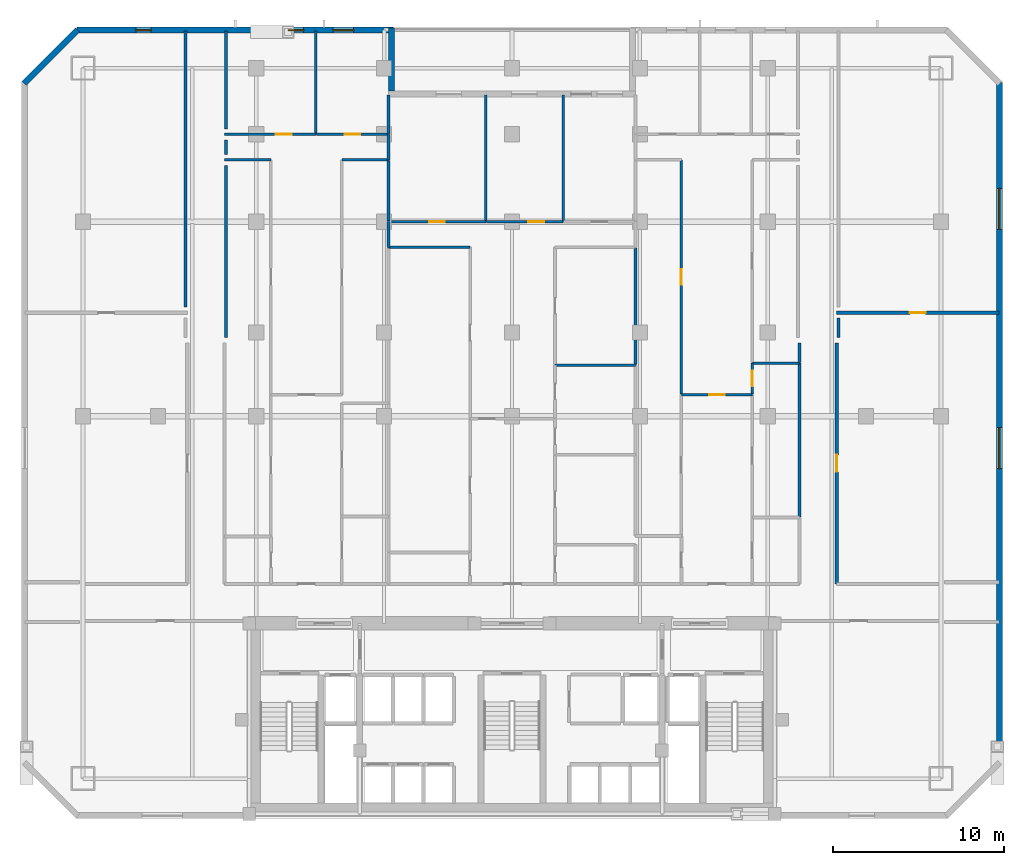
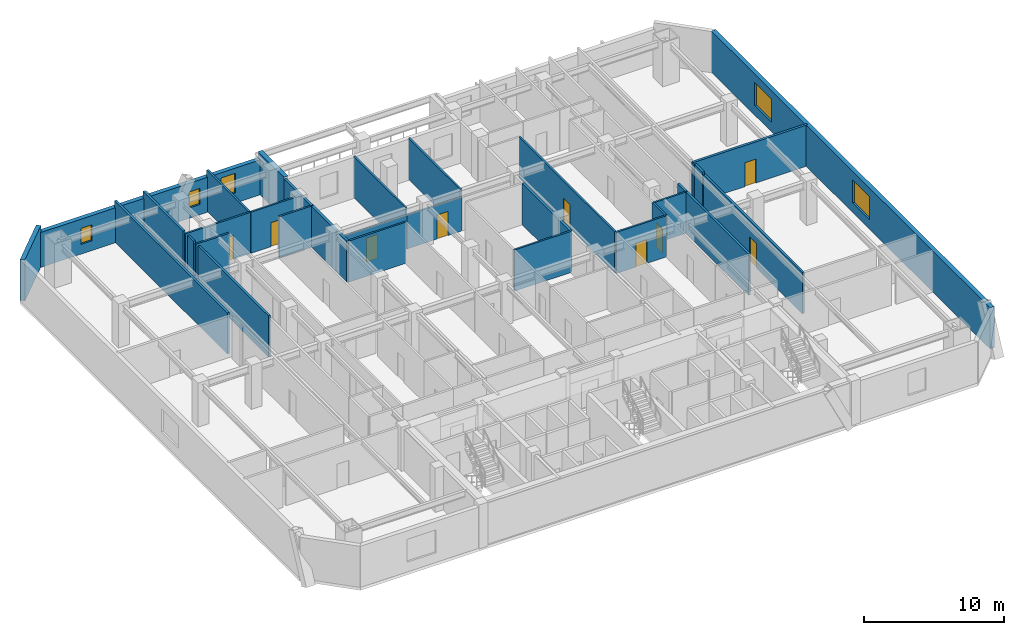
# One storey, part 6 of 10: 33 walls, 9 doors, 5 windows, 14 openings.
"""IFC4 building model written with IfcOpenShell, lengths in metres."""

from ifc_helpers import new_model, si_unit, direction, frame, frame_2d, origin, place, context, subcontext, project, spatial, rectangle, extrude, material, layer, layer_set, type_object, element, fill, save


model = new_model("IFC4")

# Units and contexts
model_context = context("Model", 3, precision=1e-05, world=origin(), true_north=direction((0.0, 1.0)))
body_context = subcontext(model_context, "Body", "Model", "MODEL_VIEW")
ifc_project = project(units=[si_unit("LENGTHUNIT", "METRE"), si_unit("AREAUNIT", "SQUARE_METRE"), si_unit("VOLUMEUNIT", "CUBIC_METRE"), si_unit("PLANEANGLEUNIT", "RADIAN"), si_unit("MASSUNIT", "GRAM", prefix="KILO")], contexts=[model_context])

# Site, building, storey
site_placement = place(None, origin())
site = spatial("IfcSite", under=ifc_project, at=site_placement, CompositionType="ELEMENT")
building_placement = place(site_placement, origin())
building = spatial("IfcBuilding", under=site, at=building_placement, Name="Ventersveld Concourse Tower", CompositionType="ELEMENT")
storey_placement = place(building_placement, frame((0.0, 0.0, 60.60009765625)))
storey = spatial("IfcBuildingStorey", under=building, at=storey_placement, Name="L14", CompositionType="ELEMENT", Elevation=60.60009765625)

# Wall, opening, door
ifc_material_1 = material(Name="Fire-rated autoclaved aerated masonry blockwork", Category="masonry")
ifc_layer_1 = layer(ifc_material_1, 0.179931640625)
ifc_layer_set_1 = layer_set([ifc_layer_1], Name="Fire-rated autoclaved aerated masonry blockwork")
wall_type_1 = type_object("IfcWallType", Name="WL-CORR-180", PredefinedType="PARTITIONING", material=ifc_layer_set_1)
wall_1_placement = place(storey_placement, frame((47.7900390625, 13.764892578125, 0.0), z_axis=(0.0, 0.0, 1.0), x_axis=(0.0, 1.0, 0.0)))
wall_1 = element("IfcWall", 1, at=wall_1_placement, inside=storey, type_object=wall_type_1, Name="L14 Interior Partition SP-L14-COR-SP-L14-NELNG1", PredefinedType="PARTITIONING", context=body_context, shape_type="SweptSolid", body=[
    extrude(rectangle(XDim=14.130126953125, YDim=0.179931640625, at=frame_2d((7.06494140625, 0.0))), origin(), (0.0, 0.0, 1.0), 3.599853515625),
])
opening_1_placement = place(wall_1_placement, frame((6.56494140625, 0.0, 0.0)))
opening_1 = element("IfcOpeningElement", 2, at=opening_1_placement, cuts=wall_1, Name="Opening FD3", PredefinedType="OPENING", context=body_context, shape_type="SweptSolid", body=[
    extrude(rectangle(XDim=1.0, YDim=2.14990234375, at=frame_2d((0.5, 1.074951171875))), frame((0.0, 0.10009765625, 0.0), z_axis=(0.0, -1.0, 0.0), x_axis=(1.0, 0.0, 0.0)), (0.0, 0.0, 1.0), 0.199951171875),
])
ifc_material_2 = material(Name="Solid-core hardwood veneer timber", Category="wood")
door_type_1 = type_object("IfcDoorType", Name="DR-FLAT-100", OperationType="NOTDEFINED", PredefinedType="DOOR", material=ifc_material_2)
door_1_placement = place(opening_1_placement, origin())
door_1 = element("IfcDoor", 3, at=door_1_placement, inside=storey, type_object=door_type_1, Name="L14 Interior Door SP-L14-COR to SP-L14-NELNG1 (D-L14-0608)", OperationType="SINGLE_SWING_RIGHT", OverallHeight=2.14990234375, OverallWidth=1.0, PredefinedType="DOOR", context=body_context, shape_type="SweptSolid", body=[
    extrude(rectangle(XDim=1.0, YDim=2.14990234375, at=frame_2d((0.5, 1.074951171875))), frame((0.0, 0.02490234375, 0.0), z_axis=(0.0, -1.0, 0.0), x_axis=(1.0, 0.0, 0.0)), (0.0, 0.0, 1.0), 0.050048828125),
])
fill(opening_1, door_1)

# Walls
wall_2_placement = place(storey_placement, frame((45.610107421875, 17.6943359375, 0.0), z_axis=(0.0, 0.0, 1.0), x_axis=(0.0, 1.0, 0.0)))
element("IfcWall", 4, at=wall_2_placement, inside=storey, type_object=wall_type_1, Name="L14 Interior Partition SP-L14-COR-SP-L14-14CE-DENR", PredefinedType="PARTITIONING", context=body_context, shape_type="SweptSolid", body=[
    extrude(rectangle(XDim=9.024169921875, YDim=0.179931640625, at=frame_2d((4.51220703125, 0.0))), origin(), (0.0, 0.0, 1.0), 3.599853515625),
])
wall_3_placement = place(storey_placement, frame((45.610107421875, 26.74853515625, 0.0), z_axis=(0.0, 0.0, 1.0), x_axis=(0.0, 1.0, 0.0)))
element("IfcWall", 5, at=wall_3_placement, inside=storey, type_object=wall_type_1, Name="L14 Interior Partition SP-L14-COR-SP-L14-14CE-DENS", PredefinedType="PARTITIONING", context=body_context, shape_type="SweptSolid", body=[
    extrude(rectangle(XDim=1.146484375, YDim=0.179931640625, at=frame_2d((0.5732421875, 0.0))), origin(), (0.0, 0.0, 1.0), 3.599853515625),
])
wall_4_placement = place(storey_placement, frame((9.6201171875, 46.18994140625, 0.0), z_axis=(0.0, 0.0, 1.0), x_axis=(0.0, -1.0, 0.0)))
element("IfcWall", 6, at=wall_4_placement, inside=storey, type_object=wall_type_1, Name="L14 Room Enclosure Wall SP-L14-NWLNG2", PredefinedType="PARTITIONING", context=body_context, shape_type="SweptSolid", body=[
    extrude(rectangle(XDim=16.19482421875, YDim=0.179931640625, at=frame_2d((8.097412109375, 0.0))), origin(), (0.0, 0.0, 1.0), 3.599853515625),
])
wall_5_placement = place(storey_placement, frame((47.8798828125, 28.2099609375, 0.0), z_axis=(0.0, 0.0, 1.0), x_axis=(0.0, 1.0, 0.0)))
element("IfcWall", 7, at=wall_5_placement, inside=storey, type_object=wall_type_1, Name="L14 Room Enclosure Wall SP-L14-NELNG1", PredefinedType="PARTITIONING", context=body_context, shape_type="SweptSolid", body=[
    extrude(rectangle(XDim=1.135009765625, YDim=0.179931640625, at=frame_2d((0.5673828125, 0.0))), origin(), (0.0, 0.0, 1.0), 3.599853515625),
])
wall_6_placement = place(storey_placement, frame((11.97998046875, 38.945068359375, 0.0), z_axis=(0.0, 0.0, 1.0), x_axis=(0.0, 1.0, 0.0)))
element("IfcWall", 8, at=wall_6_placement, inside=storey, type_object=wall_type_1, Name="L14 Room Enclosure Wall SP-L14-14CW-LIV", PredefinedType="PARTITIONING", context=body_context, shape_type="SweptSolid", body=[
    extrude(rectangle(XDim=0.849853515625, YDim=0.179931640625, at=frame_2d((0.4248046875, 0.0))), origin(), (0.0, 0.0, 1.0), 3.599853515625),
])
wall_7_placement = place(storey_placement, frame((11.97998046875, 28.2099609375, 0.0), z_axis=(0.0, 0.0, 1.0), x_axis=(0.0, 1.0, 0.0)))
element("IfcWall", 9, at=wall_7_placement, inside=storey, type_object=wall_type_1, Name="L14 Room Enclosure Wall SP-L14-14CW-OFFL0", PredefinedType="PARTITIONING", context=body_context, shape_type="SweptSolid", body=[
    extrude(rectangle(XDim=10.0849609375, YDim=0.179931640625, at=frame_2d((5.04248046875, 0.0))), origin(), (0.0, 0.0, 1.0), 3.599853515625),
])
wall_8_placement = place(storey_placement, frame((11.97998046875, 40.445068359375, 0.0), z_axis=(0.0, 0.0, 1.0), x_axis=(0.0, 1.0, 0.0)))
element("IfcWall", 10, at=wall_8_placement, inside=storey, type_object=wall_type_1, Name="L14 Room Enclosure Wall SP-L14-14CW-BR1", PredefinedType="PARTITIONING", context=body_context, shape_type="SweptSolid", body=[
    extrude(rectangle(XDim=5.744873046875, YDim=0.179931640625, at=frame_2d((2.87255859375, 0.0))), origin(), (0.0, 0.0, 1.0), 3.599853515625),
])

# Wall, opening, door
ifc_layer_2 = layer(ifc_material_1, 0.199951171875)
ifc_layer_set_2 = layer_set([ifc_layer_2], Name="Fire-rated autoclaved aerated masonry blockwork")
wall_type_2 = type_object("IfcWallType", Name="WL-DEMISE-200", PredefinedType="PARTITIONING", material=ifc_layer_set_2)
wall_9_placement = place(storey_placement, frame((47.784912109375, 29.669921875, 0.0), z_axis=(0.0, 0.0, 1.0), x_axis=(1.0, 0.0, 0.0)))
wall_9 = element("IfcWall", 11, at=wall_9_placement, inside=storey, type_object=wall_type_2, Name="L14 Interior Partition SP-L14-NELNG1-SP-L14-NELNG2", PredefinedType="PARTITIONING", context=body_context, shape_type="SweptSolid", body=[
    extrude(rectangle(XDim=9.505126953125, YDim=0.199951171875, at=frame_2d((4.75244140625, 0.0))), origin(), (0.0, 0.0, 1.0), 3.599853515625),
])
opening_2_placement = place(wall_9_placement, frame((4.29248046875, 0.0, 0.0)))
opening_2 = element("IfcOpeningElement", 12, at=opening_2_placement, cuts=wall_9, Name="Opening ID1", PredefinedType="OPENING", context=body_context, shape_type="SweptSolid", body=[
    extrude(rectangle(XDim=0.919921875, YDim=2.10009765625, at=frame_2d((0.4599609375, 1.050048828125))), frame((0.0, 0.10986328125, 0.0), z_axis=(0.0, -1.0, 0.0), x_axis=(1.0, 0.0, 0.0)), (0.0, 0.0, 1.0), 0.219970703125),
])
door_type_2 = type_object("IfcDoorType", Name="DR-ROOM-092", OperationType="NOTDEFINED", PredefinedType="DOOR", material=ifc_material_2)
door_2_placement = place(opening_2_placement, origin())
door_2 = element("IfcDoor", 13, at=door_2_placement, inside=storey, type_object=door_type_2, Name="L14 Interior Door SP-L14-NELNG1 to SP-L14-NELNG2 (D-L14-0613)", OperationType="SINGLE_SWING_LEFT", OverallHeight=2.10009765625, OverallWidth=0.919921875, PredefinedType="DOOR", context=body_context, shape_type="SweptSolid", body=[
    extrude(rectangle(XDim=0.919921875, YDim=2.10009765625, at=frame_2d((0.4599609375, 1.050048828125))), frame((0.0, 0.02490234375, 0.0), z_axis=(0.0, -1.0, 0.0), x_axis=(1.0, 0.0, 0.0)), (0.0, 0.0, 1.0), 0.050048828125),
])
fill(opening_2, door_2)

# Walls
wall_10_placement = place(storey_placement, frame((21.510009765625, 38.614990234375, 0.0), z_axis=(0.0, 0.0, 1.0), x_axis=(0.0, 1.0, 0.0)))
element("IfcWall", 14, at=wall_10_placement, inside=storey, type_object=wall_type_2, Name="L14 Interior Partition SP-L14-14CW-LIV-SP-L14-14CM-BR1", PredefinedType="PARTITIONING", context=body_context, shape_type="SweptSolid", body=[
    extrude(rectangle(XDim=1.510009765625, YDim=0.199951171875, at=frame_2d((0.7548828125, 0.0))), origin(), (0.0, 0.0, 1.0), 3.599853515625),
])
wall_11_placement = place(storey_placement, frame((21.510009765625, 33.4951171875, 0.0), z_axis=(0.0, 0.0, 1.0), x_axis=(0.0, 1.0, 0.0)))
element("IfcWall", 15, at=wall_11_placement, inside=storey, type_object=wall_type_2, Name="L14 Interior Partition SP-L14-14CW-DENS-SP-L14-14CM-LIV", PredefinedType="PARTITIONING", context=body_context, shape_type="SweptSolid", body=[
    extrude(rectangle(XDim=1.509765625, YDim=0.199951171875, at=frame_2d((0.7548828125, 0.0))), origin(), (0.0, 0.0, 1.0), 3.599853515625),
])
wall_12_placement = place(storey_placement, frame((21.510009765625, 35.034912109375, 0.0), z_axis=(0.0, 0.0, 1.0), x_axis=(0.0, 1.0, 0.0)))
element("IfcWall", 16, at=wall_12_placement, inside=storey, type_object=wall_type_2, Name="L14 Interior Partition SP-L14-14CW-DENS-SP-L14-14CM-BR1", PredefinedType="PARTITIONING", context=body_context, shape_type="SweptSolid", body=[
    extrude(rectangle(XDim=3.550048828125, YDim=0.199951171875, at=frame_2d((1.77490234375, 0.0))), origin(), (0.0, 0.0, 1.0), 3.599853515625),
])
wall_13_placement = place(storey_placement, frame((21.510009765625, 40.155029296875, 0.0), z_axis=(0.0, 0.0, 1.0), x_axis=(0.0, 1.0, 0.0)))
element("IfcWall", 17, at=wall_13_placement, inside=storey, type_object=wall_type_2, Name="L14 Interior Partition SP-L14-14CW-BR2-SP-L14-14CM-BR1", PredefinedType="PARTITIONING", context=body_context, shape_type="SweptSolid", body=[
    extrude(rectangle(XDim=2.284912109375, YDim=0.199951171875, at=frame_2d((1.142578125, 0.0))), origin(), (0.0, 0.0, 1.0), 3.599853515625),
])
wall_14_placement = place(storey_placement, frame((35.989990234375, 26.626708984375, 0.0), z_axis=(0.0, 0.0, 1.0), x_axis=(0.0, 1.0, 0.0)))
element("IfcWall", 18, at=wall_14_placement, inside=storey, type_object=wall_type_2, Name="L14 Interior Partition SP-L14-14CE-OFFL0-SP-L14-14CM-DENS2", PredefinedType="PARTITIONING", context=body_context, shape_type="SweptSolid", body=[
    extrude(rectangle(XDim=6.83837890625, YDim=0.199951171875, at=frame_2d((3.419189453125, 0.0))), origin(), (0.0, 0.0, 1.0), 3.599853515625),
])
ifc_material_3 = material(Name="Autoclaved aerated masonry blockwork", Category="masonry")
ifc_layer_3 = layer(ifc_material_3, 0.14990234375)
ifc_layer_set_3 = layer_set([ifc_layer_3], Name="Autoclaved aerated masonry blockwork")
wall_type_3 = type_object("IfcWallType", Name="WL-INT-150", PredefinedType="PARTITIONING", material=ifc_layer_set_3)
for number, where, z_axis, x_axis, name in (
    (19, (11.885009765625, 38.6201171875, 0.0), (0.0, 0.0, 1.0), (1.0, 0.0, 0.0), "L14 Interior Partition SP-L14-14CW-LIV-SP-L14-14CW-OFFL0"),
    (20, (18.776123046875, 38.6201171875, 0.0), (0.0, 0.0, 1.0), (1.0, 0.0, 0.0), "L14 Interior Partition SP-L14-14CW-LIV-SP-L14-14CW-DENS"),
):
    element("IfcWall", number, at=place(storey_placement, frame(where, z_axis=z_axis, x_axis=x_axis)), inside=storey, type_object=wall_type_3, Name=name, PredefinedType="PARTITIONING", context=body_context, shape_type="SweptSolid", body=[
        extrude(rectangle(XDim=2.73876953125, YDim=0.14990234375, at=frame_2d((1.369384765625, 0.0))), origin(), (0.0, 0.0, 1.0), 3.599853515625),
    ])

# Wall, opening, door
wall_15_placement = place(storey_placement, frame((11.885009765625, 40.1201171875, 0.0), z_axis=(0.0, 0.0, 1.0), x_axis=(1.0, 0.0, 0.0)))
wall_15 = element("IfcWall", 21, at=wall_15_placement, inside=storey, type_object=wall_type_3, Name="L14 Interior Partition SP-L14-14CW-LIV-SP-L14-14CW-BR1", PredefinedType="PARTITIONING", context=body_context, shape_type="SweptSolid", body=[
    extrude(rectangle(XDim=5.36474609375, YDim=0.14990234375, at=frame_2d((2.682373046875, 0.0))), origin(), (0.0, 0.0, 1.0), 3.599853515625),
])
opening_3_placement = place(wall_15_placement, frame((3.027099609375, 0.0, 0.0)))
opening_3 = element("IfcOpeningElement", 22, at=opening_3_placement, cuts=wall_15, Name="Opening ID1", PredefinedType="OPENING", context=body_context, shape_type="SweptSolid", body=[
    extrude(rectangle(XDim=0.919921875, YDim=2.10009765625, at=frame_2d((0.4599609375, 1.050048828125))), frame((0.0, 0.0849609375, 0.0), z_axis=(0.0, -1.0, 0.0), x_axis=(1.0, 0.0, 0.0)), (0.0, 0.0, 1.0), 0.169921875),
])
door_3_placement = place(opening_3_placement, origin())
door_3 = element("IfcDoor", 23, at=door_3_placement, inside=storey, type_object=door_type_2, Name="L14 Interior Door SP-L14-14CW-LIV to SP-L14-14CW-BR1 (D-L14-0621)", OperationType="SINGLE_SWING_LEFT", OverallHeight=2.10009765625, OverallWidth=0.919921875, PredefinedType="DOOR", context=body_context, shape_type="SweptSolid", body=[
    extrude(rectangle(XDim=0.919921875, YDim=2.10009765625, at=frame_2d((0.4599609375, 1.050048828125))), frame((0.0, 0.02490234375, 0.0), z_axis=(0.0, -1.0, 0.0), x_axis=(1.0, 0.0, 0.0)), (0.0, 0.0, 1.0), 0.050048828125),
])
fill(opening_3, door_3)

wall_16_placement = place(storey_placement, frame((17.27978515625, 40.1201171875, 0.0), z_axis=(0.0, 0.0, 1.0), x_axis=(1.0, 0.0, 0.0)))
wall_16 = element("IfcWall", 24, at=wall_16_placement, inside=storey, type_object=wall_type_3, Name="L14 Interior Partition SP-L14-14CW-LIV-SP-L14-14CW-BR2", PredefinedType="PARTITIONING", context=body_context, shape_type="SweptSolid", body=[
    extrude(rectangle(XDim=4.235107421875, YDim=0.14990234375, at=frame_2d((2.11767578125, 0.0))), origin(), (0.0, 0.0, 1.0), 3.599853515625),
])
opening_4_placement = place(wall_16_placement, frame((1.65771484375, 0.0, 0.0)))
opening_4 = element("IfcOpeningElement", 25, at=opening_4_placement, cuts=wall_16, Name="Opening ID1", PredefinedType="OPENING", context=body_context, shape_type="SweptSolid", body=[
    extrude(rectangle(XDim=0.919921875, YDim=2.10009765625, at=frame_2d((0.4599609375, 1.050048828125))), frame((0.0, 0.0849609375, 0.0), z_axis=(0.0, -1.0, 0.0), x_axis=(1.0, 0.0, 0.0)), (0.0, 0.0, 1.0), 0.169921875),
])
door_4_placement = place(opening_4_placement, origin())
door_4 = element("IfcDoor", 26, at=door_4_placement, inside=storey, type_object=door_type_2, Name="L14 Interior Door SP-L14-14CW-LIV to SP-L14-14CW-BR2 (D-L14-0622)", OperationType="SINGLE_SWING_RIGHT", OverallHeight=2.10009765625, OverallWidth=0.919921875, PredefinedType="DOOR", context=body_context, shape_type="SweptSolid", body=[
    extrude(rectangle(XDim=0.919921875, YDim=2.10009765625, at=frame_2d((0.4599609375, 1.050048828125))), frame((0.0, 0.02490234375, 0.0), z_axis=(0.0, -1.0, 0.0), x_axis=(1.0, 0.0, 0.0)), (0.0, 0.0, 1.0), 0.050048828125),
])
fill(opening_4, door_4)

# Wall
wall_17_placement = place(storey_placement, frame((17.24462890625, 40.114990234375, 0.0), z_axis=(0.0, 0.0, 1.0), x_axis=(0.0, 1.0, 0.0)))
element("IfcWall", 27, at=wall_17_placement, inside=storey, type_object=wall_type_3, Name="L14 Interior Partition SP-L14-14CW-BR1-SP-L14-14CW-BR2", PredefinedType="PARTITIONING", context=body_context, shape_type="SweptSolid", body=[
    extrude(rectangle(XDim=6.074951171875, YDim=0.14990234375, at=frame_2d((3.03759765625, 0.0))), origin(), (0.0, 0.0, 1.0), 3.599853515625),
])

# Wall, opening, door
wall_18_placement = place(storey_placement, frame((38.674560546875, 24.853759765625, 0.0), z_axis=(0.0, 0.0, 1.0), x_axis=(1.0, 0.0, 0.0)))
wall_18 = element("IfcWall", 28, at=wall_18_placement, inside=storey, type_object=wall_type_3, Name="L14 Interior Partition SP-L14-14CE-FOY-SP-L14-14CE-LIV", PredefinedType="PARTITIONING", context=body_context, shape_type="SweptSolid", body=[
    extrude(rectangle(XDim=4.17236328125, YDim=0.14990234375, at=frame_2d((2.086181640625, 0.0))), origin(), (0.0, 0.0, 1.0), 3.599853515625),
])
opening_5_placement = place(wall_18_placement, frame((1.626220703125, 0.0, 0.0)))
opening_5 = element("IfcOpeningElement", 29, at=opening_5_placement, cuts=wall_18, Name="Opening ID1", PredefinedType="OPENING", context=body_context, shape_type="SweptSolid", body=[
    extrude(rectangle(XDim=0.919921875, YDim=2.10009765625, at=frame_2d((0.4599609375, 1.050048828125))), frame((0.0, 0.0849609375, 0.0), z_axis=(0.0, -1.0, 0.0), x_axis=(1.0, 0.0, 0.0)), (0.0, 0.0, 1.0), 0.169921875),
])
door_5_placement = place(opening_5_placement, origin())
door_5 = element("IfcDoor", 30, at=door_5_placement, inside=storey, type_object=door_type_2, Name="L14 Interior Door SP-L14-14CE-FOY to SP-L14-14CE-LIV (D-L14-0623)", OperationType="SINGLE_SWING_LEFT", OverallHeight=2.10009765625, OverallWidth=0.919921875, PredefinedType="DOOR", context=body_context, shape_type="SweptSolid", body=[
    extrude(rectangle(XDim=0.919921875, YDim=2.10009765625, at=frame_2d((0.4599609375, 1.050048828125))), frame((0.0, 0.02490234375, 0.0), z_axis=(0.0, -1.0, 0.0), x_axis=(1.0, 0.0, 0.0)), (0.0, 0.0, 1.0), 0.050048828125),
])
fill(opening_5, door_5)

wall_19_placement = place(storey_placement, frame((38.679443359375, 24.888916015625, 0.0), z_axis=(0.0, 0.0, 1.0), x_axis=(0.0, 1.0, 0.0)))
wall_19 = element("IfcWall", 31, at=wall_19_placement, inside=storey, type_object=wall_type_3, Name="L14 Interior Partition SP-L14-14CE-LIV-SP-L14-14CE-OFFL0", PredefinedType="PARTITIONING", context=body_context, shape_type="SweptSolid", body=[
    extrude(rectangle(XDim=13.736083984375, YDim=0.14990234375, at=frame_2d((6.8681640625, 0.0))), origin(), (0.0, 0.0, 1.0), 3.599853515625),
])
opening_6_placement = place(wall_19_placement, frame((6.408203125, 0.0, 0.0)))
opening_6 = element("IfcOpeningElement", 32, at=opening_6_placement, cuts=wall_19, Name="Opening ID1", PredefinedType="OPENING", context=body_context, shape_type="SweptSolid", body=[
    extrude(rectangle(XDim=0.919921875, YDim=2.10009765625, at=frame_2d((0.4599609375, 1.050048828125))), frame((0.0, 0.0849609375, 0.0), z_axis=(0.0, -1.0, 0.0), x_axis=(1.0, 0.0, 0.0)), (0.0, 0.0, 1.0), 0.169921875),
])
door_6_placement = place(opening_6_placement, origin())
door_6 = element("IfcDoor", 33, at=door_6_placement, inside=storey, type_object=door_type_2, Name="L14 Interior Door SP-L14-14CE-LIV to SP-L14-14CE-OFFL0 (D-L14-0628)", OperationType="SINGLE_SWING_RIGHT", OverallHeight=2.10009765625, OverallWidth=0.919921875, PredefinedType="DOOR", context=body_context, shape_type="SweptSolid", body=[
    extrude(rectangle(XDim=0.919921875, YDim=2.10009765625, at=frame_2d((0.4599609375, 1.050048828125))), frame((0.0, 0.02490234375, 0.0), z_axis=(0.0, -1.0, 0.0), x_axis=(1.0, 0.0, 0.0)), (0.0, 0.0, 1.0), 0.050048828125),
])
fill(opening_6, door_6)

wall_20_placement = place(storey_placement, frame((42.841796875, 24.888916015625, 0.0), z_axis=(0.0, 0.0, 1.0), x_axis=(0.0, 1.0, 0.0)))
wall_20 = element("IfcWall", 34, at=wall_20_placement, inside=storey, type_object=wall_type_3, Name="L14 Interior Partition SP-L14-14CE-LIV-SP-L14-14CE-DENR", PredefinedType="PARTITIONING", context=body_context, shape_type="SweptSolid", body=[
    extrude(rectangle(XDim=1.82958984375, YDim=0.14990234375, at=frame_2d((0.914794921875, 0.0))), origin(), (0.0, 0.0, 1.0), 3.599853515625),
])
opening_7_placement = place(wall_20_placement, frame((0.454833984375, 0.0, 0.0)))
opening_7 = element("IfcOpeningElement", 35, at=opening_7_placement, cuts=wall_20, Name="Opening ID1", PredefinedType="OPENING", context=body_context, shape_type="SweptSolid", body=[
    extrude(rectangle(XDim=0.919921875, YDim=2.10009765625, at=frame_2d((0.4599609375, 1.050048828125))), frame((0.0, 0.0849609375, 0.0), z_axis=(0.0, -1.0, 0.0), x_axis=(1.0, 0.0, 0.0)), (0.0, 0.0, 1.0), 0.169921875),
])
door_7_placement = place(opening_7_placement, origin())
door_7 = element("IfcDoor", 36, at=door_7_placement, inside=storey, type_object=door_type_2, Name="L14 Interior Door SP-L14-14CE-LIV to SP-L14-14CE-DENR (D-L14-0629)", OperationType="SINGLE_SWING_LEFT", OverallHeight=2.10009765625, OverallWidth=0.919921875, PredefinedType="DOOR", context=body_context, shape_type="SweptSolid", body=[
    extrude(rectangle(XDim=0.919921875, YDim=2.10009765625, at=frame_2d((0.4599609375, 1.050048828125))), frame((0.0, 0.02490234375, 0.0), z_axis=(0.0, -1.0, 0.0), x_axis=(1.0, 0.0, 0.0)), (0.0, 0.0, 1.0), 0.050048828125),
])
fill(opening_7, door_7)

# Walls
wall_21_placement = place(storey_placement, frame((42.8369140625, 26.71337890625, 0.0), z_axis=(0.0, 0.0, 1.0), x_axis=(1.0, 0.0, 0.0)))
element("IfcWall", 37, at=wall_21_placement, inside=storey, type_object=wall_type_3, Name="L14 Interior Partition SP-L14-14CE-DENR-SP-L14-14CE-DENS", PredefinedType="PARTITIONING", context=body_context, shape_type="SweptSolid", body=[
    extrude(rectangle(XDim=2.778076171875, YDim=0.14990234375, at=frame_2d((1.38916015625, 0.0))), origin(), (0.0, 0.0, 1.0), 3.599853515625),
])
wall_22_placement = place(storey_placement, frame((21.5048828125, 33.5, 0.0), z_axis=(0.0, 0.0, 1.0), x_axis=(1.0, 0.0, 0.0)))
element("IfcWall", 38, at=wall_22_placement, inside=storey, type_object=wall_type_3, Name="L14 Interior Partition SP-L14-14CM-LIV-SP-L14-14CM-SEML0", PredefinedType="PARTITIONING", context=body_context, shape_type="SweptSolid", body=[
    extrude(rectangle(XDim=4.789794921875, YDim=0.14990234375, at=frame_2d((2.39501953125, 0.0))), origin(), (0.0, 0.0, 1.0), 3.599853515625),
])

# Wall, opening, door
wall_23_placement = place(storey_placement, frame((21.5048828125, 35.0, 0.0), z_axis=(0.0, 0.0, 1.0), x_axis=(1.0, 0.0, 0.0)))
wall_23 = element("IfcWall", 39, at=wall_23_placement, inside=storey, type_object=wall_type_3, Name="L14 Interior Partition SP-L14-14CM-LIV-SP-L14-14CM-BR1", PredefinedType="PARTITIONING", context=body_context, shape_type="SweptSolid", body=[
    extrude(rectangle(XDim=5.7080078125, YDim=0.14990234375, at=frame_2d((2.85400390625, 0.0))), origin(), (0.0, 0.0, 1.0), 2.964111328125),
])
opening_8_placement = place(wall_23_placement, frame((2.39404296875, 0.0, 0.0)))
opening_8 = element("IfcOpeningElement", 40, at=opening_8_placement, cuts=wall_23, Name="Opening ID1", PredefinedType="OPENING", context=body_context, shape_type="SweptSolid", body=[
    extrude(rectangle(XDim=0.919921875, YDim=2.10009765625, at=frame_2d((0.4599609375, 1.050048828125))), frame((0.0, 0.0849609375, 0.0), z_axis=(0.0, -1.0, 0.0), x_axis=(1.0, 0.0, 0.0)), (0.0, 0.0, 1.0), 0.169921875),
])
door_8_placement = place(opening_8_placement, origin())
door_8 = element("IfcDoor", 41, at=door_8_placement, inside=storey, type_object=door_type_2, Name="L14 Interior Door SP-L14-14CM-LIV to SP-L14-14CM-BR1 (D-L14-0643)", OperationType="SINGLE_SWING_LEFT", OverallHeight=2.10009765625, OverallWidth=0.919921875, PredefinedType="DOOR", context=body_context, shape_type="SweptSolid", body=[
    extrude(rectangle(XDim=0.919921875, YDim=2.10009765625, at=frame_2d((0.4599609375, 1.050048828125))), frame((0.0, 0.02490234375, 0.0), z_axis=(0.0, -1.0, 0.0), x_axis=(1.0, 0.0, 0.0)), (0.0, 0.0, 1.0), 0.050048828125),
])
fill(opening_8, door_8)

wall_24_placement = place(storey_placement, frame((27.242919921875, 35.0, 0.0), z_axis=(0.0, 0.0, 1.0), x_axis=(1.0, 0.0, 0.0)))
wall_24 = element("IfcWall", 42, at=wall_24_placement, inside=storey, type_object=wall_type_3, Name="L14 Interior Partition SP-L14-14CM-LIV-SP-L14-14CM-BR2", PredefinedType="PARTITIONING", context=body_context, shape_type="SweptSolid", body=[
    extrude(rectangle(XDim=4.506103515625, YDim=0.14990234375, at=frame_2d((2.2529296875, 0.0))), origin(), (0.0, 0.0, 1.0), 2.964111328125),
])
opening_9_placement = place(wall_24_placement, frame((2.468994140625, 0.0, 0.0)))
opening_9 = element("IfcOpeningElement", 43, at=opening_9_placement, cuts=wall_24, Name="Opening ID1", PredefinedType="OPENING", context=body_context, shape_type="SweptSolid", body=[
    extrude(rectangle(XDim=0.919921875, YDim=2.10009765625, at=frame_2d((0.4599609375, 1.050048828125))), frame((0.0, 0.0849609375, 0.0), z_axis=(0.0, -1.0, 0.0), x_axis=(1.0, 0.0, 0.0)), (0.0, 0.0, 1.0), 0.169921875),
])
door_9_placement = place(opening_9_placement, origin())
door_9 = element("IfcDoor", 44, at=door_9_placement, inside=storey, type_object=door_type_2, Name="L14 Interior Door SP-L14-14CM-LIV to SP-L14-14CM-BR2 (D-L14-0644)", OperationType="SINGLE_SWING_RIGHT", OverallHeight=2.10009765625, OverallWidth=0.919921875, PredefinedType="DOOR", context=body_context, shape_type="SweptSolid", body=[
    extrude(rectangle(XDim=0.919921875, YDim=2.10009765625, at=frame_2d((0.4599609375, 1.050048828125))), frame((0.0, 0.02490234375, 0.0), z_axis=(0.0, -1.0, 0.0), x_axis=(1.0, 0.0, 0.0)), (0.0, 0.0, 1.0), 0.050048828125),
])
fill(opening_9, door_9)

# Walls
wall_25_placement = place(storey_placement, frame((31.2646484375, 26.591796875, 0.0), z_axis=(0.0, 0.0, 1.0), x_axis=(1.0, 0.0, 0.0)))
element("IfcWall", 45, at=wall_25_placement, inside=storey, type_object=wall_type_3, Name="L14 Interior Partition SP-L14-14CM-DENS-SP-L14-14CM-DENS2", PredefinedType="PARTITIONING", context=body_context, shape_type="SweptSolid", body=[
    extrude(rectangle(XDim=4.73046875, YDim=0.14990234375, at=frame_2d((2.365234375, 0.0))), origin(), (0.0, 0.0, 1.0), 3.599853515625),
])
for number, where, z_axis, x_axis, name in (
    (46, (27.2080078125, 34.9951171875, 0.0), (0.0, 0.0, 1.0), (0.0, 1.0, 0.0), "L14 Interior Partition SP-L14-14CM-BR1-SP-L14-14CM-BR2"),
    (47, (31.744140625, 34.9951171875, 0.0), (0.0, 0.0, 1.0), (0.0, 1.0, 0.0), "L14 Interior Partition SP-L14-14CM-BR2-SP-L14-14CM-BR3"),
):
    element("IfcWall", number, at=place(storey_placement, frame(where, z_axis=z_axis, x_axis=x_axis)), inside=storey, type_object=wall_type_3, Name=name, PredefinedType="PARTITIONING", context=body_context, shape_type="SweptSolid", body=[
        extrude(rectangle(XDim=7.44482421875, YDim=0.14990234375, at=frame_2d((3.722412109375, 0.0))), origin(), (0.0, 0.0, 1.0), 3.599853515625),
    ])

# Wall, openings, windows
ifc_material_4 = material(Name="Precast concrete C45/55", Category="concrete")
ifc_layer_4 = layer(ifc_material_4, 0.35009765625)
ifc_layer_set_4 = layer_set([ifc_layer_4], Name="Precast concrete C45/55")
wall_type_4 = type_object("IfcWallType", Name="WL-PREC-350", PredefinedType="SOLIDWALL", material=ifc_layer_set_4)
wall_26_placement = place(storey_placement, frame((57.324951171875, 3.239990234375, 0.0), z_axis=(0.0, 0.0, 1.0), x_axis=(0.0, 1.0, 0.0)))
wall_26 = element("IfcWall", 48, at=wall_26_placement, inside=storey, type_object=wall_type_4, Name="L14 Highveld Precast Facade Wall E03", PredefinedType="SOLIDWALL", context=body_context, shape_type="SweptSolid", body=[
    extrude(rectangle(XDim=39.919921875, YDim=0.35009765625, at=frame_2d((19.9599609375, 0.0))), origin(), (0.0, 0.0, 1.0), 3.599853515625),
])
opening_10_placement = place(wall_26_placement, frame((17.280029296875, 0.0, 0.85009765625)))
opening_10 = element("IfcOpeningElement", 49, at=opening_10_placement, cuts=wall_26, Name="Opening W5", PredefinedType="OPENING", context=body_context, shape_type="SweptSolid", body=[
    extrude(rectangle(XDim=2.39990234375, YDim=2.0, at=frame_2d((1.199951171875, 1.0))), frame((0.0, 0.18505859375, 0.0), z_axis=(0.0, -1.0, 0.0), x_axis=(1.0, 0.0, 0.0)), (0.0, 0.0, 1.0), 0.3701171875),
])
opening_11_placement = place(wall_26_placement, frame((31.3076171875, 0.0, 0.85009765625)))
opening_11 = element("IfcOpeningElement", 50, at=opening_11_placement, cuts=wall_26, Name="Opening W5", PredefinedType="OPENING", context=body_context, shape_type="SweptSolid", body=[
    extrude(rectangle(XDim=2.39990234375, YDim=2.0, at=frame_2d((1.199951171875, 1.0))), frame((0.0, 0.18505859375, 0.0), z_axis=(0.0, -1.0, 0.0), x_axis=(1.0, 0.0, 0.0)), (0.0, 0.0, 1.0), 0.3701171875),
])
ifc_material_5 = material(Name="Tempered acoustic Low-E IGU", Category="glass")
window_type_1 = type_object("IfcWindowType", Name="WIN-240x210", PartitioningType="SINGLE_PANEL", PredefinedType="WINDOW", material=ifc_material_5)
window_1_placement = place(opening_10_placement, origin())
window_1 = element("IfcWindow", 51, at=window_1_placement, inside=storey, type_object=window_type_1, Name="L14 Punched Low-E Window W-0113", OverallHeight=2.0, OverallWidth=2.39990234375, PartitioningType="SINGLE_PANEL", PredefinedType="WINDOW", context=body_context, shape_type="SweptSolid", body=[
    extrude(rectangle(XDim=2.39990234375, YDim=2.0, at=frame_2d((1.199951171875, 1.0))), frame((0.0, 0.030029296875, 0.0), z_axis=(0.0, -1.0, 0.0), x_axis=(1.0, 0.0, 0.0)), (0.0, 0.0, 1.0), 0.06005859375),
])
fill(opening_10, window_1)
window_2_placement = place(opening_11_placement, origin())
window_2 = element("IfcWindow", 52, at=window_2_placement, inside=storey, type_object=window_type_1, Name="L14 Punched Low-E Window W-0114", OverallHeight=2.0, OverallWidth=2.39990234375, PartitioningType="SINGLE_PANEL", PredefinedType="WINDOW", context=body_context, shape_type="SweptSolid", body=[
    extrude(rectangle(XDim=2.39990234375, YDim=2.0, at=frame_2d((1.199951171875, 1.0))), frame((0.0, 0.030029296875, 0.0), z_axis=(0.0, -1.0, 0.0), x_axis=(1.0, 0.0, 0.0)), (0.0, 0.0, 1.0), 0.06005859375),
])
fill(opening_11, window_2)

# Wall
wall_27_placement = place(storey_placement, frame((21.675048828125, 42.64990234375, 0.0), z_axis=(0.0, 0.0, 1.0), x_axis=(0.0, 1.0, 0.0)))
element("IfcWall", 53, at=wall_27_placement, inside=storey, type_object=wall_type_4, Name="L14 Highveld Precast Facade Wall E08", PredefinedType="SOLIDWALL", context=body_context, shape_type="SweptSolid", body=[
    extrude(rectangle(XDim=3.710205078125, YDim=0.35009765625, at=frame_2d((1.85498046875, 0.0))), origin(), (0.0, 0.0, 1.0), 3.599853515625),
])

# Wall, openings, windows
wall_28_placement = place(storey_placement, frame((21.81005859375, 46.22509765625, 0.0), z_axis=(0.0, 0.0, 1.0), x_axis=(-1.0, 0.0, 0.0)))
wall_28 = element("IfcWall", 54, at=wall_28_placement, inside=storey, type_object=wall_type_4, Name="L14 Highveld Precast Facade Wall E09", PredefinedType="SOLIDWALL", context=body_context, shape_type="SweptSolid", body=[
    extrude(rectangle(XDim=18.570068359375, YDim=0.35009765625, at=frame_2d((9.28515625, 0.0))), origin(), (0.0, 0.0, 1.0), 3.055419921875),
])
opening_12_placement = place(wall_28_placement, frame((14.217529296875, 0.0, 0.85009765625)))
opening_12 = element("IfcOpeningElement", 55, at=opening_12_placement, cuts=wall_28, Name="Opening W8", PredefinedType="OPENING", context=body_context, shape_type="SweptSolid", body=[
    extrude(rectangle(XDim=0.89990234375, YDim=1.39990234375, at=frame_2d((0.449951171875, 0.699951171875))), frame((0.0, 0.18505859375, 0.0), z_axis=(0.0, -1.0, 0.0), x_axis=(1.0, 0.0, 0.0)), (0.0, 0.0, 1.0), 0.3701171875),
])
opening_13_placement = place(wall_28_placement, frame((5.28173828125, 0.0, 0.89990234375)))
opening_13 = element("IfcOpeningElement", 56, at=opening_13_placement, cuts=wall_28, Name="Opening W8", PredefinedType="OPENING", context=body_context, shape_type="SweptSolid", body=[
    extrude(rectangle(XDim=0.89990234375, YDim=1.39990234375, at=frame_2d((0.449951171875, 0.699951171875))), frame((0.0, 0.18505859375, 0.0), z_axis=(0.0, -1.0, 0.0), x_axis=(1.0, 0.0, 0.0)), (0.0, 0.0, 1.0), 0.3701171875),
])
opening_14_placement = place(wall_28_placement, frame((2.35009765625, 0.0, 0.89990234375)))
opening_14 = element("IfcOpeningElement", 57, at=opening_14_placement, cuts=wall_28, Name="Opening W3", PredefinedType="OPENING", context=body_context, shape_type="SweptSolid", body=[
    extrude(rectangle(XDim=1.199951171875, YDim=1.699951171875, at=frame_2d((0.60009765625, 0.85009765625))), frame((0.0, 0.18505859375, 0.0), z_axis=(0.0, -1.0, 0.0), x_axis=(1.0, 0.0, 0.0)), (0.0, 0.0, 1.0), 0.3701171875),
])
window_type_2 = type_object("IfcWindowType", Name="WIN-090x140", PartitioningType="SINGLE_PANEL", PredefinedType="WINDOW", material=ifc_material_5)
window_3_placement = place(opening_12_placement, origin())
window_3 = element("IfcWindow", 58, at=window_3_placement, inside=storey, type_object=window_type_2, Name="L14 Punched Low-E Window W-0112", OverallHeight=1.39990234375, OverallWidth=0.89990234375, PartitioningType="SINGLE_PANEL", PredefinedType="WINDOW", context=body_context, shape_type="SweptSolid", body=[
    extrude(rectangle(XDim=0.89990234375, YDim=1.39990234375, at=frame_2d((0.449951171875, 0.699951171875))), frame((0.0, 0.030029296875, 0.0), z_axis=(0.0, -1.0, 0.0), x_axis=(1.0, 0.0, 0.0)), (0.0, 0.0, 1.0), 0.06005859375),
])
fill(opening_12, window_3)
window_4_placement = place(opening_13_placement, origin())
window_4 = element("IfcWindow", 59, at=window_4_placement, inside=storey, type_object=window_type_2, Name="L14 Punched Low-E Window W-0115", OverallHeight=1.39990234375, OverallWidth=0.89990234375, PartitioningType="SINGLE_PANEL", PredefinedType="WINDOW", context=body_context, shape_type="SweptSolid", body=[
    extrude(rectangle(XDim=0.89990234375, YDim=1.39990234375, at=frame_2d((0.449951171875, 0.699951171875))), frame((0.0, 0.030029296875, 0.0), z_axis=(0.0, -1.0, 0.0), x_axis=(1.0, 0.0, 0.0)), (0.0, 0.0, 1.0), 0.06005859375),
])
fill(opening_13, window_4)
window_type_3 = type_object("IfcWindowType", Name="WIN-120x180", PartitioningType="SINGLE_PANEL", PredefinedType="WINDOW", material=ifc_material_5)
window_5_placement = place(opening_14_placement, origin())
window_5 = element("IfcWindow", 60, at=window_5_placement, inside=storey, type_object=window_type_3, Name="L14 Punched Low-E Window W-0116", OverallHeight=1.699951171875, OverallWidth=1.199951171875, PartitioningType="SINGLE_PANEL", PredefinedType="WINDOW", context=body_context, shape_type="SweptSolid", body=[
    extrude(rectangle(XDim=1.199951171875, YDim=1.699951171875, at=frame_2d((0.60009765625, 0.85009765625))), frame((0.0, 0.030029296875, 0.0), z_axis=(0.0, -1.0, 0.0), x_axis=(1.0, 0.0, 0.0)), (0.0, 0.0, 1.0), 0.06005859375),
])
fill(opening_14, window_5)

# Wall
wall_29_placement = place(storey_placement, frame((3.29541015625, 46.248046875, 0.0), z_axis=(0.0, 0.0, 1.0), x_axis=(-0.707079321262, -0.707134240044, 0.0)))
element("IfcWall", 61, at=wall_29_placement, inside=storey, type_object=wall_type_4, Name="L14 Highveld Precast Facade Wall E10", PredefinedType="SOLIDWALL", context=body_context, shape_type="SweptSolid", body=[
    extrude(rectangle(XDim=4.445556640625, YDim=0.35009765625, at=frame_2d((2.22265625, 0.0))), origin(), (0.0, 0.0, 1.0), 3.599853515625),
])

save(model, "model.ifc")
